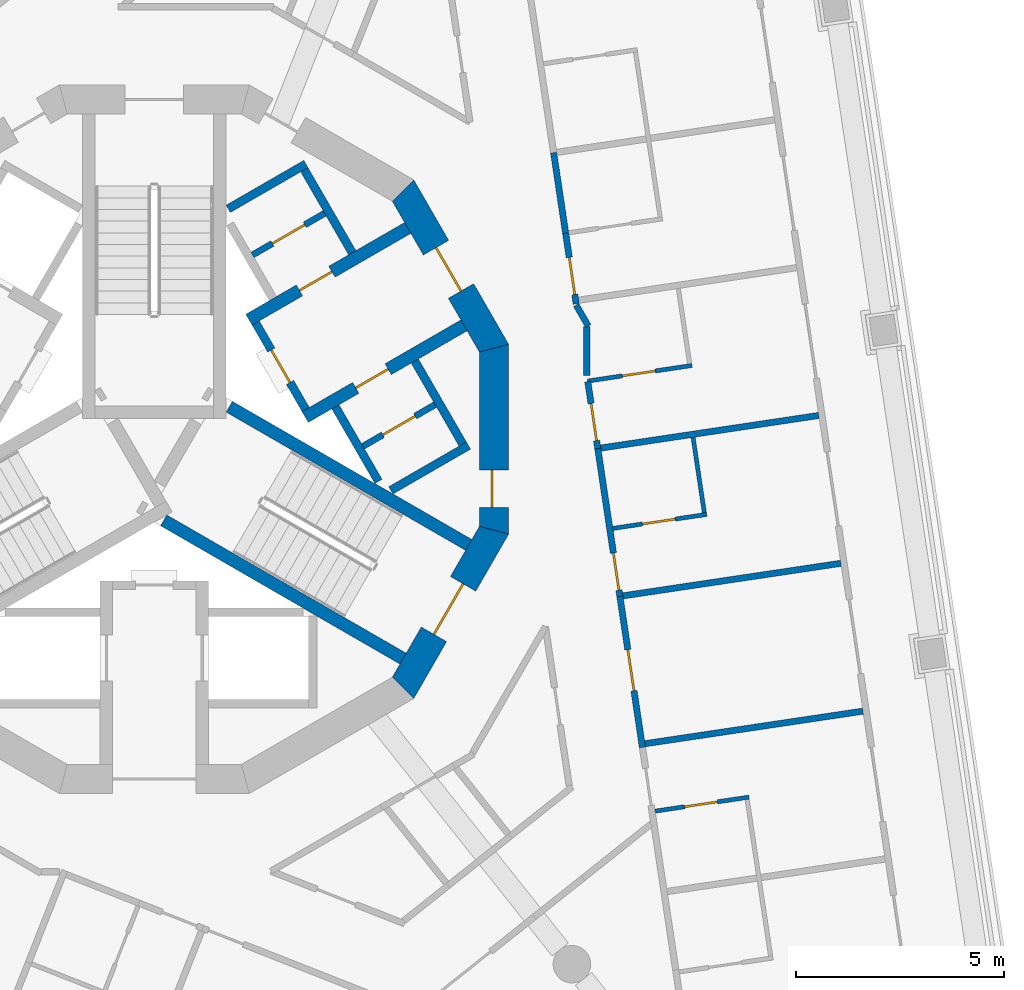
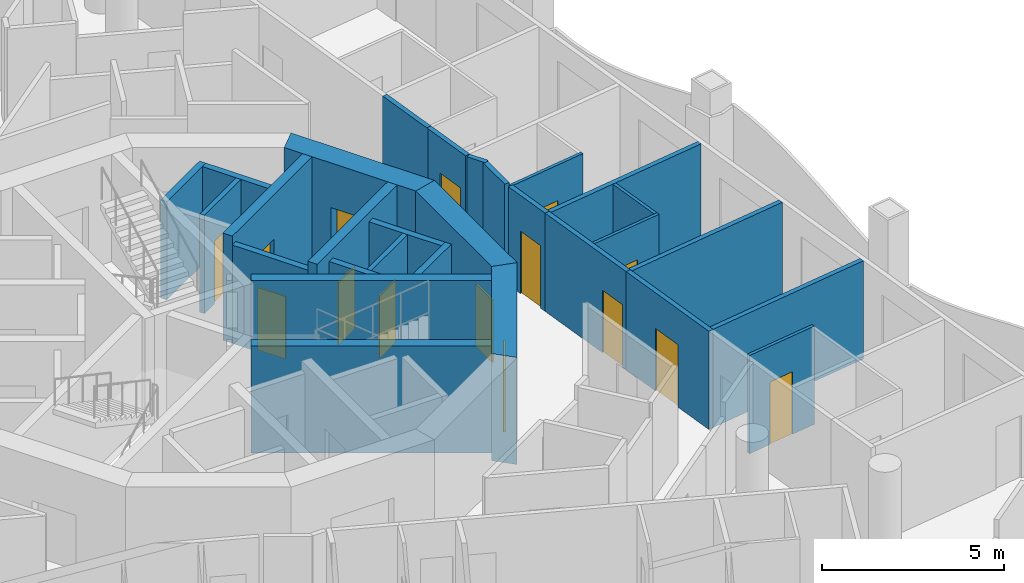
# One storey, part 6 of 17: 29 walls, 15 doors, 15 openings.
"""IFC4 building model written with IfcOpenShell, lengths in metres."""

from ifc_helpers import new_model, si_unit, direction, frame, frame_2d, origin, place, context, subcontext, project, spatial, polyline, rectangle, outline, extrude, material, layer, layer_set, type_object, element, fill, save


model = new_model("IFC4")

# Units and contexts
model_context = context("Model", 3, precision=1e-05, world=origin(), true_north=direction((0.0, 1.0)))
body_context = subcontext(model_context, "Body", "Model", "MODEL_VIEW")
ifc_project = project(units=[si_unit("LENGTHUNIT", "METRE"), si_unit("AREAUNIT", "SQUARE_METRE"), si_unit("VOLUMEUNIT", "CUBIC_METRE"), si_unit("PLANEANGLEUNIT", "RADIAN"), si_unit("MASSUNIT", "GRAM", prefix="KILO")], contexts=[model_context])

# Site, building, storey
site_placement = place(None, origin())
site = spatial("IfcSite", under=ifc_project, at=site_placement, CompositionType="ELEMENT")
building_placement = place(site_placement, origin())
building = spatial("IfcBuilding", under=site, at=building_placement, Name="Trine Commons Tower", CompositionType="ELEMENT")
storey_placement = place(building_placement, frame((0.0, 0.0, 212.39990234375)))
storey = spatial("IfcBuildingStorey", under=building, at=storey_placement, Name="L55", CompositionType="ELEMENT", Elevation=212.39990234375)

# Wall, opening, door
ifc_material_1 = material(Name="Plasterboard partition on steel studs", Category="steel")
ifc_layer_1 = layer(ifc_material_1, 0.14990234375)
ifc_layer_set_1 = layer_set([ifc_layer_1], Name="Plasterboard partition on steel studs")
wall_type_1 = type_object("IfcWallType", Name="Core room partition 150 mm, EI 60", PredefinedType="PARTITIONING", material=ifc_layer_set_1)
wall_1_placement = place(storey_placement, frame((82.35498046875, 66.919921875, 0.0), z_axis=(0.0, 0.0, 1.0), x_axis=(0.866010750942, 0.50002537861, 0.0)))
wall_1 = element("IfcWall", 1, at=wall_1_placement, inside=storey, type_object=wall_type_1, Name="Core room partition L55", PredefinedType="PARTITIONING", context=body_context, shape_type="SweptSolid", body=[
    extrude(rectangle(XDim=2.0, YDim=0.14990234375, at=frame_2d((1.0, 0.0))), origin(), (0.0, 0.0, 1.0), 3.300048828125),
])
opening_1_placement = place(wall_1_placement, frame((0.550537109375, 0.0, 0.0)))
opening_1 = element("IfcOpeningElement", 2, at=opening_1_placement, cuts=wall_1, Name="Opening K15.11", PredefinedType="OPENING", context=body_context, shape_type="SweptSolid", body=[
    extrude(rectangle(XDim=0.89990234375, YDim=2.10009765625, at=frame_2d((0.449951171875, 1.050048828125))), frame((0.0, 0.0849609375, 0.0), z_axis=(0.0, -1.0, 0.0), x_axis=(1.0, 0.0, 0.0)), (0.0, 0.0, 1.0), 0.169921875),
])
ifc_material_2 = material(Name="Steel door leaf, fire-rated", Category="steel")
door_type_1 = type_object("IfcDoorType", Name="Core room door, single leaf 900 x 2100, FD30S", OperationType="SINGLE_SWING_LEFT", PredefinedType="DOOR", material=ifc_material_2)
door_1_placement = place(opening_1_placement, origin())
door_1 = element("IfcDoor", 3, at=door_1_placement, inside=storey, type_object=door_type_1, Name="Door to Comms room L55", OperationType="SINGLE_SWING_RIGHT", OverallHeight=2.10009765625, OverallWidth=0.89990234375, PredefinedType="DOOR", context=body_context, shape_type="SweptSolid", body=[
    extrude(rectangle(XDim=0.89990234375, YDim=2.10009765625, at=frame_2d((0.449951171875, 1.050048828125))), frame((0.0, 0.02490234375, 0.0), z_axis=(0.0, -1.0, 0.0), x_axis=(1.0, 0.0, 0.0)), (0.0, 0.0, 1.0), 0.050048828125),
])
fill(opening_1, door_1)

wall_2_placement = place(storey_placement, frame((85.006103515625, 62.330078125, 0.0), z_axis=(0.0, 0.0, 1.0), x_axis=(0.866010750942, 0.50002537861, 0.0)))
wall_2 = element("IfcWall", 4, at=wall_2_placement, inside=storey, type_object=wall_type_1, Name="Core room partition L55", PredefinedType="PARTITIONING", context=body_context, shape_type="SweptSolid", body=[
    extrude(rectangle(XDim=2.0, YDim=0.14990234375, at=frame_2d((1.0, 0.0))), origin(), (0.0, 0.0, 1.0), 3.300048828125),
])
opening_2_placement = place(wall_2_placement, frame((0.549560546875, 0.0, 0.0)))
opening_2 = element("IfcOpeningElement", 5, at=opening_2_placement, cuts=wall_2, Name="Opening K15.13", PredefinedType="OPENING", context=body_context, shape_type="SweptSolid", body=[
    extrude(rectangle(XDim=0.89990234375, YDim=2.10009765625, at=frame_2d((0.449951171875, 1.050048828125))), frame((0.0, 0.0849609375, 0.0), z_axis=(0.0, -1.0, 0.0), x_axis=(1.0, 0.0, 0.0)), (0.0, 0.0, 1.0), 0.169921875),
])
door_2_placement = place(opening_2_placement, frame((0.89990234375, 0.0, 0.0), z_axis=(0.0, 0.0, 1.0), x_axis=(-1.0, 0.0, 0.0)))
door_2 = element("IfcDoor", 6, at=door_2_placement, inside=storey, type_object=door_type_1, Name="Door to Cleaner's store L55", OperationType="SINGLE_SWING_LEFT", OverallHeight=2.10009765625, OverallWidth=0.89990234375, PredefinedType="DOOR", context=body_context, shape_type="SweptSolid", body=[
    extrude(rectangle(XDim=0.89990234375, YDim=2.10009765625, at=frame_2d((0.449951171875, 1.050048828125))), frame((0.0, 0.02490234375, 0.0), z_axis=(0.0, -1.0, 0.0), x_axis=(1.0, 0.0, 0.0)), (0.0, 0.0, 1.0), 0.050048828125),
])
fill(opening_2, door_2)

ifc_material_3 = material(Name="Fire-rated gypsum shaft wall system")
ifc_layer_2 = layer(ifc_material_3, 0.199951171875)
ifc_layer_set_2 = layer_set([ifc_layer_2], Name="Fire-rated gypsum shaft wall system")
wall_type_2 = type_object("IfcWallType", Name="Lobby end wall 200 mm, EI 120", PredefinedType="PARTITIONING", material=ifc_layer_set_2)
wall_3_placement = place(storey_placement, frame((83.631103515625, 63.2109375, 0.0), z_axis=(0.0, 0.0, 1.0), x_axis=(-0.50012165622, 0.865955154139, 0.0)))
wall_3 = element("IfcWall", 7, at=wall_3_placement, inside=storey, type_object=wall_type_2, Name="Lobby end wall L55", PredefinedType="PARTITIONING", context=body_context, shape_type="SweptSolid", body=[
    extrude(rectangle(XDim=2.39990234375, YDim=0.199951171875, at=frame_2d((1.199951171875, 0.0))), origin(), (0.0, 0.0, 1.0), 3.300048828125),
])
opening_3_placement = place(wall_3_placement, frame((0.749755859375, 0.0, 0.0)))
opening_3 = element("IfcOpeningElement", 8, at=opening_3_placement, cuts=wall_3, Name="Opening K15.05", PredefinedType="OPENING", context=body_context, shape_type="SweptSolid", body=[
    extrude(rectangle(XDim=0.89990234375, YDim=2.10009765625, at=frame_2d((0.449951171875, 1.050048828125))), frame((0.0, 0.10986328125, 0.0), z_axis=(0.0, -1.0, 0.0), x_axis=(1.0, 0.0, 0.0)), (0.0, 0.0, 1.0), 0.219970703125),
])
door_type_2 = type_object("IfcDoorType", Name="Riser access door, single leaf 900 x 2100, FD60", OperationType="SINGLE_SWING_LEFT", PredefinedType="DOOR", material=ifc_material_2)
door_3_placement = place(opening_3_placement, frame((0.89990234375, 0.0, 0.0), z_axis=(0.0, 0.0, 1.0), x_axis=(-1.0, 0.0, 0.0)))
door_3 = element("IfcDoor", 9, at=door_3_placement, inside=storey, type_object=door_type_2, Name="Riser door, Electrical riser L55", OperationType="SINGLE_SWING_LEFT", OverallHeight=2.10009765625, OverallWidth=0.89990234375, PredefinedType="DOOR", context=body_context, shape_type="SweptSolid", body=[
    extrude(rectangle(XDim=0.89990234375, YDim=2.10009765625, at=frame_2d((0.449951171875, 1.050048828125))), frame((0.0, 0.02490234375, 0.0), z_axis=(0.0, -1.0, 0.0), x_axis=(1.0, 0.0, 0.0)), (0.0, 0.0, 1.0), 0.050048828125),
])
fill(opening_3, door_3)

ifc_material_4 = material(Name="Concrete C60/75", Category="concrete")
ifc_layer_3 = layer(ifc_material_4, 0.300048828125)
ifc_layer_set_3 = layer_set([ifc_layer_3], Name="Concrete C60/75")
wall_type_3 = type_object("IfcWallType", Name="RC shear wall 300 mm, C60/75", PredefinedType="SHEAR", material=ifc_layer_set_3)
wall_4_placement = place(storey_placement, frame((82.26904296875, 65.368896484375, 0.0), z_axis=(0.0, 0.0, 1.0), x_axis=(0.866035918664, 0.499981787252, 0.0)))
wall_4 = element("IfcWall", 10, at=wall_4_placement, inside=storey, type_object=wall_type_3, Name="Core cross wall SWC-05 L55", PredefinedType="SHEAR", context=body_context, shape_type="SweptSolid", body=[
    extrude(rectangle(XDim=4.400634765625, YDim=0.300048828125, at=frame_2d((2.2001953125, 0.0))), origin(), (0.0, 0.0, 1.0), 3.60009765625),
])
opening_4_placement = place(wall_4_placement, frame((1.400390625, 0.0, 0.0)))
opening_4 = element("IfcOpeningElement", 11, at=opening_4_placement, cuts=wall_4, Name="Opening K15.10", PredefinedType="OPENING", context=body_context, shape_type="SweptSolid", body=[
    extrude(rectangle(XDim=0.89990234375, YDim=2.10009765625, at=frame_2d((0.449951171875, 1.050048828125))), frame((0.0, 0.159912109375, 0.0), z_axis=(0.0, -1.0, 0.0), x_axis=(1.0, 0.0, 0.0)), (0.0, 0.0, 1.0), 0.320068359375),
])
door_4_placement = place(opening_4_placement, origin())
door_4 = element("IfcDoor", 12, at=door_4_placement, inside=storey, type_object=door_type_1, Name="Door to Pantry L55", OperationType="SINGLE_SWING_LEFT", OverallHeight=2.10009765625, OverallWidth=0.89990234375, PredefinedType="DOOR", context=body_context, shape_type="SweptSolid", body=[
    extrude(rectangle(XDim=0.89990234375, YDim=2.10009765625, at=frame_2d((0.449951171875, 1.050048828125))), frame((0.0, 0.02490234375, 0.0), z_axis=(0.0, -1.0, 0.0), x_axis=(1.0, 0.0, 0.0)), (0.0, 0.0, 1.0), 0.050048828125),
])
fill(opening_4, door_4)

wall_5_placement = place(storey_placement, frame((83.618896484375, 63.031005859375, 0.0), z_axis=(0.0, 0.0, 1.0), x_axis=(0.866059941101, 0.499940174841, 0.0)))
wall_5 = element("IfcWall", 13, at=wall_5_placement, inside=storey, type_object=wall_type_3, Name="Core cross wall SWC-06 L55", PredefinedType="SHEAR", context=body_context, shape_type="SweptSolid", body=[
    extrude(rectangle(XDim=4.400390625, YDim=0.300048828125, at=frame_2d((2.2001953125, 0.0))), origin(), (0.0, 0.0, 1.0), 3.60009765625),
])
opening_5_placement = place(wall_5_placement, frame((1.400390625, 0.0, 0.0)))
opening_5 = element("IfcOpeningElement", 14, at=opening_5_placement, cuts=wall_5, Name="Opening K15.12", PredefinedType="OPENING", context=body_context, shape_type="SweptSolid", body=[
    extrude(rectangle(XDim=0.89990234375, YDim=2.10009765625, at=frame_2d((0.449951171875, 1.050048828125))), frame((0.0, 0.159912109375, 0.0), z_axis=(0.0, -1.0, 0.0), x_axis=(1.0, 0.0, 0.0)), (0.0, 0.0, 1.0), 0.320068359375),
])
door_5_placement = place(opening_5_placement, frame((0.89990234375, 0.0, 0.0), z_axis=(0.0, 0.0, 1.0), x_axis=(-1.0, 0.0, 0.0)))
door_5 = element("IfcDoor", 15, at=door_5_placement, inside=storey, type_object=door_type_1, Name="Door to Parcel store L55", OperationType="SINGLE_SWING_LEFT", OverallHeight=2.10009765625, OverallWidth=0.89990234375, PredefinedType="DOOR", context=body_context, shape_type="SweptSolid", body=[
    extrude(rectangle(XDim=0.89990234375, YDim=2.10009765625, at=frame_2d((0.449951171875, 1.050048828125))), frame((0.0, 0.02490234375, 0.0), z_axis=(0.0, -1.0, 0.0), x_axis=(1.0, 0.0, 0.0)), (0.0, 0.0, 1.0), 0.050048828125),
])
fill(opening_5, door_5)

# Walls
for number, where, z_axis, x_axis, name in (
    (16, (80.22509765625, 60.552001953125, 0.0), (0.0, 0.0, 1.0), (0.866009627307, -0.500027324665, 0.0), "Core cross wall SWC-13 L55"),
    (17, (81.800048828125, 63.280029296875, 0.0), (0.0, 0.0, 1.0), (0.866009627307, -0.500027324665, 0.0), "Core cross wall SWC-18 L55"),
):
    element("IfcWall", number, at=place(storey_placement, frame(where, z_axis=z_axis, x_axis=x_axis)), inside=storey, type_object=wall_type_3, Name=name, PredefinedType="SHEAR", context=body_context, shape_type="SweptSolid", body=[
        extrude(rectangle(XDim=6.631591796875, YDim=0.300048828125, at=frame_2d((3.31591796875, 0.0))), origin(), (0.0, 0.0, 1.0), 3.60009765625),
    ])

# Wall, opening, door
ifc_layer_4 = layer(ifc_material_4, 0.699951171875)
ifc_layer_set_4 = layer_set([ifc_layer_4], Name="Concrete C60/75")
wall_type_4 = type_object("IfcWallType", Name="RC shear wall 700 mm, C60/75", PredefinedType="SHEAR", material=ifc_layer_set_4)
wall_6_placement = place(storey_placement, frame((88.150146484375, 60.222412109375, 0.0), z_axis=(0.0, 0.0, 1.0), x_axis=(0.0, 1.0, 0.0)))
wall_6 = element("IfcWall", 18, at=wall_6_placement, inside=storey, type_object=wall_type_4, Name="Core wall CWF-01 L55", PredefinedType="SHEAR", context=body_context, shape_type="SweptSolid", body=[
    extrude(outline(polyline([(0.0, -0.35009765625), (4.55517578125, -0.35009765625), (4.36767578125, 0.35009765625), (0.1875, 0.35009765625), (0.0, -0.35009765625)])), origin(), (0.0, 0.0, 1.0), 3.60009765625),
])
opening_6_placement = place(wall_6_placement, frame((0.6416015625, 0.0, 0.0)))
opening_6 = element("IfcOpeningElement", 19, at=opening_6_placement, cuts=wall_6, Name="Opening K15.17", PredefinedType="OPENING", context=body_context, shape_type="SweptSolid", body=[
    extrude(rectangle(XDim=0.89990234375, YDim=2.10009765625, at=frame_2d((0.449951171875, 1.050048828125))), frame((0.0, 0.35986328125, 0.0), z_axis=(0.0, -1.0, 0.0), x_axis=(1.0, 0.0, 0.0)), (0.0, 0.0, 1.0), 0.719970703125),
])
door_6_placement = place(opening_6_placement, origin())
door_6 = element("IfcDoor", 20, at=door_6_placement, inside=storey, type_object=door_type_1, Name="Door to Core WC L55", OperationType="SINGLE_SWING_LEFT", OverallHeight=2.10009765625, OverallWidth=0.89990234375, PredefinedType="DOOR", context=body_context, shape_type="SweptSolid", body=[
    extrude(rectangle(XDim=0.89990234375, YDim=2.10009765625, at=frame_2d((0.449951171875, 1.050048828125))), frame((0.0, 0.0751953125, 0.0), z_axis=(0.0, -1.0, 0.0), x_axis=(1.0, 0.0, 0.0)), (0.0, 0.0, 1.0), 0.050048828125),
])
fill(opening_6, door_6)

wall_7_placement = place(storey_placement, frame((88.197021484375, 64.6025390625, 0.0), z_axis=(0.0, 0.0, 1.0), x_axis=(-0.499983800959, 0.866034756103, 0.0)))
wall_7 = element("IfcWall", 21, at=wall_7_placement, inside=storey, type_object=wall_type_4, Name="Core wall CWF-02 L55", PredefinedType="SHEAR", context=body_context, shape_type="SweptSolid", body=[
    extrude(outline(polyline([(0.0, -0.35009765625), (4.55517578125, -0.35009765625), (4.36767578125, 0.35009765625), (0.1875, 0.35009765625), (0.0, -0.35009765625)])), origin(), (0.0, 0.0, 1.0), 3.60009765625),
])
opening_7_placement = place(wall_7_placement, frame((1.677490234375, 0.0, 0.0)))
opening_7 = element("IfcOpeningElement", 22, at=opening_7_placement, cuts=wall_7, Name="Opening K15.04", PredefinedType="OPENING", context=body_context, shape_type="SweptSolid", body=[
    extrude(rectangle(XDim=1.199951171875, YDim=2.10009765625, at=frame_2d((0.60009765625, 1.050048828125))), frame((0.0, 0.35986328125, 0.0), z_axis=(0.0, -1.0, 0.0), x_axis=(1.0, 0.0, 0.0)), (0.0, 0.0, 1.0), 0.719970703125),
])
ifc_material_5 = material(Name="Steel door leaves, fire-rated", Category="steel")
door_type_3 = type_object("IfcDoorType", Name="Lobby door, double leaf 1200 x 2100, FD60", OperationType="DOUBLE_DOOR_SINGLE_SWING", PredefinedType="DOOR", material=ifc_material_5)
door_7_placement = place(opening_7_placement, origin())
door_7 = element("IfcDoor", 23, at=door_7_placement, inside=storey, type_object=door_type_3, Name="Lobby door, Core lounge L55", OperationType="DOUBLE_DOOR_SINGLE_SWING", OverallHeight=2.10009765625, OverallWidth=1.199951171875, PredefinedType="DOOR", context=body_context, shape_type="SweptSolid", body=[
    extrude(rectangle(XDim=1.199951171875, YDim=2.10009765625, at=frame_2d((0.60009765625, 1.050048828125))), frame((0.0, 0.02490234375, 0.0), z_axis=(0.0, -1.0, 0.0), x_axis=(1.0, 0.0, 0.0)), (0.0, 0.0, 1.0), 0.050048828125),
])
fill(opening_7, door_7)

wall_8_placement = place(storey_placement, frame((85.91943359375, 56.452392578125, 0.0), z_axis=(0.0, 0.0, 1.0), x_axis=(0.499983800959, 0.866034756103, 0.0)))
wall_8 = element("IfcWall", 24, at=wall_8_placement, inside=storey, type_object=wall_type_4, Name="Core wall CWF-12 L55", PredefinedType="SHEAR", context=body_context, shape_type="SweptSolid", body=[
    extrude(outline(polyline([(0.0, -0.35009765625), (4.55517578125, -0.35009765625), (4.36767578125, 0.35009765625), (0.1875, 0.35009765625), (0.0, -0.35009765625)])), origin(), (0.0, 0.0, 1.0), 3.60009765625),
])
opening_8_placement = place(wall_8_placement, frame((1.577392578125, 0.0, 0.0)))
opening_8 = element("IfcOpeningElement", 25, at=opening_8_placement, cuts=wall_8, Name="Opening K15.03", PredefinedType="OPENING", context=body_context, shape_type="SweptSolid", body=[
    extrude(rectangle(XDim=1.39990234375, YDim=2.10009765625, at=frame_2d((0.699951171875, 1.050048828125))), frame((0.0, 0.35986328125, 0.0), z_axis=(0.0, -1.0, 0.0), x_axis=(1.0, 0.0, 0.0)), (0.0, 0.0, 1.0), 0.719970703125),
])
door_type_4 = type_object("IfcDoorType", Name="Stair door, double leaf 1400 x 2100, FD90", OperationType="DOUBLE_DOOR_SINGLE_SWING", PredefinedType="DOOR", material=ifc_material_5)
door_8_placement = place(opening_8_placement, origin())
door_8 = element("IfcDoor", 26, at=door_8_placement, inside=storey, type_object=door_type_4, Name="Stair door to Exit stair ST3C L55", OperationType="DOUBLE_DOOR_SINGLE_SWING", OverallHeight=2.10009765625, OverallWidth=1.39990234375, PredefinedType="DOOR", context=body_context, shape_type="SweptSolid", body=[
    extrude(rectangle(XDim=1.39990234375, YDim=2.10009765625, at=frame_2d((0.699951171875, 1.050048828125))), frame((0.0, 0.02490234375, 0.0), z_axis=(0.0, -1.0, 0.0), x_axis=(1.0, 0.0, 0.0)), (0.0, 0.0, 1.0), 0.050048828125),
])
fill(opening_8, door_8)

# Walls
ifc_layer_5 = layer(ifc_material_3, 0.199951171875)
ifc_layer_set_5 = layer_set([ifc_layer_5], Name="Fire-rated gypsum shaft wall system")
wall_type_5 = type_object("IfcWallType", Name="Shaft wall 200 mm, EI 120", PredefinedType="PARTITIONING", material=ifc_layer_set_5)
wall_9_placement = place(storey_placement, frame((81.77490234375, 68.028076171875, 0.0), z_axis=(0.0, 0.0, 1.0), x_axis=(0.866130725101, 0.499817533742, 0.0)))
element("IfcWall", 27, at=wall_9_placement, inside=storey, type_object=wall_type_5, Name="Shaft wall L55", PredefinedType="PARTITIONING", context=body_context, shape_type="SweptSolid", body=[
    extrude(rectangle(XDim=2.148681640625, YDim=0.199951171875, at=frame_2d((1.07421875, 0.0))), origin(), (0.0, 0.0, 1.0), 3.300048828125),
])
wall_10_placement = place(storey_placement, frame((84.343994140625, 63.27587890625, 0.0), z_axis=(0.0, 0.0, 1.0), x_axis=(0.500271688072, -0.86586848777, 0.0)))
element("IfcWall", 28, at=wall_10_placement, inside=storey, type_object=wall_type_5, Name="Shaft wall L55", PredefinedType="PARTITIONING", context=body_context, shape_type="SweptSolid", body=[
    extrude(rectangle(XDim=2.064697265625, YDim=0.199951171875, at=frame_2d((1.0322265625, 0.0))), origin(), (0.0, 0.0, 1.0), 3.300048828125),
])
wall_11_placement = place(storey_placement, frame((84.7490234375, 66.97412109375, 0.0), z_axis=(0.0, 0.0, 1.0), x_axis=(-0.500136062276, 0.86594683394, 0.0)))
element("IfcWall", 29, at=wall_11_placement, inside=storey, type_object=wall_type_5, Name="Shaft wall L55", PredefinedType="PARTITIONING", context=body_context, shape_type="SweptSolid", body=[
    extrude(rectangle(XDim=2.299072265625, YDim=0.199951171875, at=frame_2d((1.1494140625, 0.0))), origin(), (0.0, 0.0, 1.0), 3.300048828125),
])
wall_12_placement = place(storey_placement, frame((85.675048828125, 61.27392578125, 0.0), z_axis=(0.0, 0.0, 1.0), x_axis=(0.866102336459, 0.499866725018, 0.0)))
element("IfcWall", 30, at=wall_12_placement, inside=storey, type_object=wall_type_5, Name="Shaft wall L55", PredefinedType="PARTITIONING", context=body_context, shape_type="SweptSolid", body=[
    extrude(rectangle(XDim=2.1484375, YDim=0.199951171875, at=frame_2d((1.07421875, 0.0))), origin(), (0.0, 0.0, 1.0), 3.300048828125),
])
wall_13_placement = place(storey_placement, frame((86.2490234375, 64.3759765625, 0.0), z_axis=(0.0, 0.0, 1.0), x_axis=(0.500136062276, -0.86594683394, 0.0)))
element("IfcWall", 31, at=wall_13_placement, inside=storey, type_object=wall_type_5, Name="Shaft wall L55", PredefinedType="PARTITIONING", context=body_context, shape_type="SweptSolid", body=[
    extrude(rectangle(XDim=2.299072265625, YDim=0.199951171875, at=frame_2d((1.1494140625, 0.0))), origin(), (0.0, 0.0, 1.0), 3.300048828125),
])
ifc_material_6 = material(Name="Gypsum plasterboard on steel stud", Category="steel")
ifc_layer_6 = layer(ifc_material_6, 0.14990234375)
ifc_layer_set_6 = layer_set([ifc_layer_6], Name="Gypsum plasterboard on steel stud")
wall_type_6 = type_object("IfcWallType", Name="Unit and corridor wall 150 mm, EI 60", PredefinedType="PARTITIONING", material=ifc_layer_set_6)
wall_14_placement = place(storey_placement, frame((89.580078125, 69.375, 0.0), z_axis=(0.0, 0.0, 1.0), x_axis=(0.147561773313, -0.989052841388, 0.0)))
element("IfcWall", 32, at=wall_14_placement, inside=storey, type_object=wall_type_6, Name="Partition 117", PredefinedType="PARTITIONING", context=body_context, shape_type="SweptSolid", body=[
    extrude(rectangle(XDim=2.008544921875, YDim=0.14990234375, at=frame_2d((1.00439453125, 0.0))), origin(), (0.0, 0.0, 1.0), 3.300048828125),
])

# Wall, opening, door
wall_15_placement = place(storey_placement, frame((89.867919921875, 67.446044921875, 0.0), z_axis=(0.0, 0.0, 1.0), x_axis=(0.147840420569, -0.989011228473, 0.0)))
wall_15 = element("IfcWall", 33, at=wall_15_placement, inside=storey, type_object=wall_type_6, Name="Partition 119", PredefinedType="PARTITIONING", context=body_context, shape_type="SweptSolid", body=[
    extrude(rectangle(XDim=1.718994140625, YDim=0.14990234375, at=frame_2d((0.859375, 0.0))), origin(), (0.0, 0.0, 1.0), 3.300048828125),
])
opening_9_placement = place(wall_15_placement, frame((0.58984375, 0.0, 0.0)))
opening_9 = element("IfcOpeningElement", 34, at=opening_9_placement, cuts=wall_15, Name="Opening D-6B15", PredefinedType="OPENING", context=body_context, shape_type="SweptSolid", body=[
    extrude(rectangle(XDim=0.89990234375, YDim=2.10009765625, at=frame_2d((0.449951171875, 1.050048828125))), frame((0.0, 0.0849609375, 0.0), z_axis=(0.0, -1.0, 0.0), x_axis=(1.0, 0.0, 0.0)), (0.0, 0.0, 1.0), 0.169921875),
])
ifc_material_7 = material(Name="Timber fire door set", Category="wood")
door_type_5 = type_object("IfcDoorType", Name="Bedroom door 900 x 2100, FD30S", OperationType="NOTDEFINED", PredefinedType="DOOR", material=ifc_material_7)
door_9_placement = place(opening_9_placement, origin())
door_9 = element("IfcDoor", 35, at=door_9_placement, inside=storey, type_object=door_type_5, Name="Door D-6B15", OperationType="SINGLE_SWING_RIGHT", OverallHeight=2.10009765625, OverallWidth=0.89990234375, PredefinedType="DOOR", context=body_context, shape_type="SweptSolid", body=[
    extrude(rectangle(XDim=0.89990234375, YDim=2.10009765625, at=frame_2d((0.449951171875, 1.050048828125))), frame((0.0, 0.02490234375, 0.0), z_axis=(0.0, -1.0, 0.0), x_axis=(1.0, 0.0, 0.0)), (0.0, 0.0, 1.0), 0.050048828125),
])
fill(opening_9, door_9)

# Walls
wall_16_placement = place(storey_placement, frame((90.12109375, 65.718994140625, 0.0), z_axis=(0.0, 0.0, 1.0), x_axis=(0.500738673164, -0.865598510395, 0.0)))
element("IfcWall", 36, at=wall_16_placement, inside=storey, type_object=wall_type_6, Name="Partition 121", PredefinedType="PARTITIONING", context=body_context, shape_type="SweptSolid", body=[
    extrude(rectangle(XDim=0.58203125, YDim=0.14990234375, at=frame_2d((0.291015625, 0.0))), origin(), (0.0, 0.0, 1.0), 3.300048828125),
])
wall_17_placement = place(storey_placement, frame((90.375, 64.02294921875, 0.0), z_axis=(0.0, 0.0, 1.0), x_axis=(0.0, 1.0, 0.0)))
element("IfcWall", 37, at=wall_17_placement, inside=storey, type_object=wall_type_6, Name="Partition 124", PredefinedType="PARTITIONING", context=body_context, shape_type="SweptSolid", body=[
    extrude(rectangle(XDim=1.18212890625, YDim=0.14990234375, at=frame_2d((0.591064453125, 0.0))), origin(), (0.0, 0.0, 1.0), 3.300048828125),
])

# Wall, opening, door
wall_18_placement = place(storey_placement, frame((90.39990234375, 63.882080078125, 0.0), z_axis=(0.0, 0.0, 1.0), x_axis=(0.147511205878, -0.989060384476, 0.0)))
wall_18 = element("IfcWall", 38, at=wall_18_placement, inside=storey, type_object=wall_type_6, Name="Partition 126", PredefinedType="PARTITIONING", context=body_context, shape_type="SweptSolid", body=[
    extrude(rectangle(XDim=1.626953125, YDim=0.14990234375, at=frame_2d((0.8134765625, 0.0))), origin(), (0.0, 0.0, 1.0), 3.300048828125),
])
opening_10_placement = place(wall_18_placement, frame((0.530517578125, 0.0, 0.0)))
opening_10 = element("IfcOpeningElement", 39, at=opening_10_placement, cuts=wall_18, Name="Opening D-6B16", PredefinedType="OPENING", context=body_context, shape_type="SweptSolid", body=[
    extrude(rectangle(XDim=0.89990234375, YDim=2.10009765625, at=frame_2d((0.449951171875, 1.050048828125))), frame((0.0, 0.0849609375, 0.0), z_axis=(0.0, -1.0, 0.0), x_axis=(1.0, 0.0, 0.0)), (0.0, 0.0, 1.0), 0.169921875),
])
door_10_placement = place(opening_10_placement, origin())
door_10 = element("IfcDoor", 40, at=door_10_placement, inside=storey, type_object=door_type_5, Name="Door D-6B16", OperationType="SINGLE_SWING_RIGHT", OverallHeight=2.10009765625, OverallWidth=0.89990234375, PredefinedType="DOOR", context=body_context, shape_type="SweptSolid", body=[
    extrude(rectangle(XDim=0.89990234375, YDim=2.10009765625, at=frame_2d((0.449951171875, 1.050048828125))), frame((0.0, 0.02490234375, 0.0), z_axis=(0.0, -1.0, 0.0), x_axis=(1.0, 0.0, 0.0)), (0.0, 0.0, 1.0), 0.050048828125),
])
fill(opening_10, door_10)

wall_19_placement = place(storey_placement, frame((90.6279296875, 62.355224609375, 0.0), z_axis=(0.0, 0.0, 1.0), x_axis=(0.147744877395, -0.989025505841, 0.0)))
wall_19 = element("IfcWall", 41, at=wall_19_placement, inside=storey, type_object=wall_type_6, Name="Partition 127", PredefinedType="PARTITIONING", context=body_context, shape_type="SweptSolid", body=[
    extrude(rectangle(XDim=3.66845703125, YDim=0.14990234375, at=frame_2d((1.834228515625, 0.0))), origin(), (0.0, 0.0, 1.0), 3.300048828125),
])
opening_11_placement = place(wall_19_placement, frame((2.614501953125, 0.0, 0.0)))
opening_11 = element("IfcOpeningElement", 42, at=opening_11_placement, cuts=wall_19, Name="Opening D-6B17", PredefinedType="OPENING", context=body_context, shape_type="SweptSolid", body=[
    extrude(rectangle(XDim=0.89990234375, YDim=2.10009765625, at=frame_2d((0.449951171875, 1.050048828125))), frame((0.0, 0.0849609375, 0.0), z_axis=(0.0, -1.0, 0.0), x_axis=(1.0, 0.0, 0.0)), (0.0, 0.0, 1.0), 0.169921875),
])
door_11_placement = place(opening_11_placement, origin())
door_11 = element("IfcDoor", 43, at=door_11_placement, inside=storey, type_object=door_type_5, Name="Door D-6B17", OperationType="SINGLE_SWING_RIGHT", OverallHeight=2.10009765625, OverallWidth=0.89990234375, PredefinedType="DOOR", context=body_context, shape_type="SweptSolid", body=[
    extrude(rectangle(XDim=0.89990234375, YDim=2.10009765625, at=frame_2d((0.449951171875, 1.050048828125))), frame((0.0, 0.02490234375, 0.0), z_axis=(0.0, -1.0, 0.0), x_axis=(1.0, 0.0, 0.0)), (0.0, 0.0, 1.0), 0.050048828125),
])
fill(opening_11, door_11)

# Wall
wall_20_placement = place(storey_placement, frame((90.714111328125, 62.2880859375, 0.0), z_axis=(0.0, 0.0, 1.0), x_axis=(0.988994889639, 0.147949681543, 0.0)))
element("IfcWall", 44, at=wall_20_placement, inside=storey, type_object=wall_type_6, Name="Partition 128", PredefinedType="PARTITIONING", context=body_context, shape_type="SweptSolid", body=[
    extrude(rectangle(XDim=5.285400390625, YDim=0.14990234375, at=frame_2d((2.642578125, 0.0))), origin(), (0.0, 0.0, 1.0), 3.300048828125),
])

# Wall, opening, door
wall_21_placement = place(storey_placement, frame((91.1689453125, 58.735107421875, 0.0), z_axis=(0.0, 0.0, 1.0), x_axis=(0.147761346956, -0.989023045407, 0.0)))
wall_21 = element("IfcWall", 45, at=wall_21_placement, inside=storey, type_object=wall_type_6, Name="Partition 130", PredefinedType="PARTITIONING", context=body_context, shape_type="SweptSolid", body=[
    extrude(rectangle(XDim=3.669677734375, YDim=0.14990234375, at=frame_2d((1.8349609375, 0.0))), origin(), (0.0, 0.0, 1.0), 3.300048828125),
])
opening_12_placement = place(wall_21_placement, frame((1.29736328125, 0.0, 0.0)))
opening_12 = element("IfcOpeningElement", 46, at=opening_12_placement, cuts=wall_21, Name="Opening D-6B18", PredefinedType="OPENING", context=body_context, shape_type="SweptSolid", body=[
    extrude(rectangle(XDim=1.0, YDim=2.10009765625, at=frame_2d((0.5, 1.050048828125))), frame((0.0, 0.0849609375, 0.0), z_axis=(0.0, -1.0, 0.0), x_axis=(1.0, 0.0, 0.0)), (0.0, 0.0, 1.0), 0.169921875),
])
ifc_material_8 = material(Name="Painted timber", Category="wood")
door_type_6 = type_object("IfcDoorType", Name="Amenity room door 1000 x 2100, NOT RATED", OperationType="NOTDEFINED", PredefinedType="DOOR", material=ifc_material_8)
door_12_placement = place(opening_12_placement, origin())
door_12 = element("IfcDoor", 47, at=door_12_placement, inside=storey, type_object=door_type_6, Name="Door D-6B18", OperationType="SINGLE_SWING_LEFT", OverallHeight=2.10009765625, OverallWidth=1.0, PredefinedType="DOOR", context=body_context, shape_type="SweptSolid", body=[
    extrude(rectangle(XDim=1.0, YDim=2.10009765625, at=frame_2d((0.5, 1.050048828125))), frame((0.0, 0.02490234375, 0.0), z_axis=(0.0, -1.0, 0.0), x_axis=(1.0, 0.0, 0.0)), (0.0, 0.0, 1.0), 0.050048828125),
])
fill(opening_12, door_12)

# Walls
for number, where, z_axis, x_axis, name in (
    (48, (91.244140625, 58.7421875, 0.0), (0.0, 0.0, 1.0), (0.98902190879, 0.147768954566, 0.0), "Partition 131"),
    (49, (91.774169921875, 55.195068359375, 0.0), (0.0, 0.0, 1.0), (0.98902190879, 0.147768954566, 0.0), "Partition 134"),
):
    element("IfcWall", number, at=place(storey_placement, frame(where, z_axis=z_axis, x_axis=x_axis)), inside=storey, type_object=wall_type_6, Name=name, PredefinedType="PARTITIONING", context=body_context, shape_type="SweptSolid", body=[
        extrude(rectangle(XDim=5.285400390625, YDim=0.14990234375, at=frame_2d((2.642578125, 0.0))), origin(), (0.0, 0.0, 1.0), 3.300048828125),
    ])

# Wall, opening, door
ifc_layer_7 = layer(ifc_material_6, 0.10009765625)
ifc_layer_set_7 = layer_set([ifc_layer_7], Name="Gypsum plasterboard on steel stud")
wall_type_7 = type_object("IfcWallType", Name="Unit partition 100 mm, no rating", PredefinedType="PARTITIONING", material=ifc_layer_set_7)
wall_22_placement = place(storey_placement, frame((90.39794921875, 63.89501953125, 0.0), z_axis=(0.0, 0.0, 1.0), x_axis=(0.988991508707, 0.147972280192, 0.0)))
wall_22 = element("IfcWall", 50, at=wall_22_placement, inside=storey, type_object=wall_type_7, Name="Partition 125", PredefinedType="PARTITIONING", context=body_context, shape_type="SweptSolid", body=[
    extrude(rectangle(XDim=2.529296875, YDim=0.10009765625, at=frame_2d((1.2646484375, 0.0))), origin(), (0.0, 0.0, 1.0), 3.300048828125),
])
opening_13_placement = place(wall_22_placement, frame((0.839599609375, 0.0, 0.0)))
opening_13 = element("IfcOpeningElement", 51, at=opening_13_placement, cuts=wall_22, Name="Opening D-6B46", PredefinedType="OPENING", context=body_context, shape_type="SweptSolid", body=[
    extrude(rectangle(XDim=0.800048828125, YDim=2.10009765625, at=frame_2d((0.39990234375, 1.050048828125))), frame((0.0, 0.06005859375, 0.0), z_axis=(0.0, -1.0, 0.0), x_axis=(1.0, 0.0, 0.0)), (0.0, 0.0, 1.0), 0.1201171875),
])
door_type_7 = type_object("IfcDoorType", Name="Internal door 800 x 2100, NOT RATED", OperationType="NOTDEFINED", PredefinedType="DOOR", material=ifc_material_8)
door_13_placement = place(opening_13_placement, frame((0.800048828125, 0.0, 0.0), z_axis=(0.0, 0.0, 1.0), x_axis=(-1.0, 0.0, 0.0)))
door_13 = element("IfcDoor", 52, at=door_13_placement, inside=storey, type_object=door_type_7, Name="Door D-6B46", OperationType="SINGLE_SWING_RIGHT", OverallHeight=2.10009765625, OverallWidth=0.800048828125, PredefinedType="DOOR", context=body_context, shape_type="SweptSolid", body=[
    extrude(rectangle(XDim=0.800048828125, YDim=2.10009765625, at=frame_2d((0.39990234375, 1.050048828125))), frame((0.0, 0.02490234375, 0.0), z_axis=(0.0, -1.0, 0.0), x_axis=(1.0, 0.0, 0.0)), (0.0, 0.0, 1.0), 0.050048828125),
])
fill(opening_13, door_13)

wall_23_placement = place(storey_placement, frame((91.002197265625, 60.360107421875, 0.0), z_axis=(0.0, 0.0, 1.0), x_axis=(0.989023546454, 0.147757993216, 0.0)))
wall_23 = element("IfcWall", 53, at=wall_23_placement, inside=storey, type_object=wall_type_7, Name="Partition 129", PredefinedType="PARTITIONING", context=body_context, shape_type="SweptSolid", body=[
    extrude(rectangle(XDim=2.275146484375, YDim=0.10009765625, at=frame_2d((1.1376953125, 0.0))), origin(), (0.0, 0.0, 1.0), 3.300048828125),
])
opening_14_placement = place(wall_23_placement, frame((0.712646484375, 0.0, 0.0)))
opening_14 = element("IfcOpeningElement", 54, at=opening_14_placement, cuts=wall_23, Name="Opening D-6B47", PredefinedType="OPENING", context=body_context, shape_type="SweptSolid", body=[
    extrude(rectangle(XDim=0.800048828125, YDim=2.10009765625, at=frame_2d((0.39990234375, 1.050048828125))), frame((0.0, 0.06005859375, 0.0), z_axis=(0.0, -1.0, 0.0), x_axis=(1.0, 0.0, 0.0)), (0.0, 0.0, 1.0), 0.1201171875),
])
door_14_placement = place(opening_14_placement, frame((0.800048828125, 0.0, 0.0), z_axis=(0.0, 0.0, 1.0), x_axis=(-1.0, 0.0, 0.0)))
door_14 = element("IfcDoor", 55, at=door_14_placement, inside=storey, type_object=door_type_7, Name="Door D-6B47", OperationType="SINGLE_SWING_RIGHT", OverallHeight=2.10009765625, OverallWidth=0.800048828125, PredefinedType="DOOR", context=body_context, shape_type="SweptSolid", body=[
    extrude(rectangle(XDim=0.800048828125, YDim=2.10009765625, at=frame_2d((0.39990234375, 1.050048828125))), frame((0.0, 0.02490234375, 0.0), z_axis=(0.0, -1.0, 0.0), x_axis=(1.0, 0.0, 0.0)), (0.0, 0.0, 1.0), 0.050048828125),
])
fill(opening_14, door_14)

wall_24_placement = place(storey_placement, frame((92.01611328125, 53.5771484375, 0.0), z_axis=(0.0, 0.0, 1.0), x_axis=(0.989025888794, 0.147742313828, 0.0)))
wall_24 = element("IfcWall", 56, at=wall_24_placement, inside=storey, type_object=wall_type_7, Name="Partition 135", PredefinedType="PARTITIONING", context=body_context, shape_type="SweptSolid", body=[
    extrude(rectangle(XDim=2.275390625, YDim=0.10009765625, at=frame_2d((1.1376953125, 0.0))), origin(), (0.0, 0.0, 1.0), 3.300048828125),
])
opening_15_placement = place(wall_24_placement, frame((0.712646484375, 0.0, 0.0)))
opening_15 = element("IfcOpeningElement", 57, at=opening_15_placement, cuts=wall_24, Name="Opening D-6B48", PredefinedType="OPENING", context=body_context, shape_type="SweptSolid", body=[
    extrude(rectangle(XDim=0.800048828125, YDim=2.10009765625, at=frame_2d((0.39990234375, 1.050048828125))), frame((0.0, 0.06005859375, 0.0), z_axis=(0.0, -1.0, 0.0), x_axis=(1.0, 0.0, 0.0)), (0.0, 0.0, 1.0), 0.1201171875),
])
door_15_placement = place(opening_15_placement, origin())
door_15 = element("IfcDoor", 58, at=door_15_placement, inside=storey, type_object=door_type_7, Name="Door D-6B48", OperationType="SINGLE_SWING_LEFT", OverallHeight=2.10009765625, OverallWidth=0.800048828125, PredefinedType="DOOR", context=body_context, shape_type="SweptSolid", body=[
    extrude(rectangle(XDim=0.800048828125, YDim=2.10009765625, at=frame_2d((0.39990234375, 1.050048828125))), frame((0.0, 0.02490234375, 0.0), z_axis=(0.0, -1.0, 0.0), x_axis=(1.0, 0.0, 0.0)), (0.0, 0.0, 1.0), 0.050048828125),
])
fill(opening_15, door_15)

# Wall
wall_25_placement = place(storey_placement, frame((92.926025390625, 62.542724609375, 0.0), z_axis=(0.0, 0.0, 1.0), x_axis=(0.147751431332, -0.989024526763, 0.0)))
element("IfcWall", 59, at=wall_25_placement, inside=storey, type_object=wall_type_7, Name="Partition 141", PredefinedType="PARTITIONING", context=body_context, shape_type="SweptSolid", body=[
    extrude(rectangle(XDim=1.82421875, YDim=0.10009765625, at=frame_2d((0.912109375, 0.0))), origin(), (0.0, 0.0, 1.0), 3.300048828125),
])

save(model, "model.ifc")
